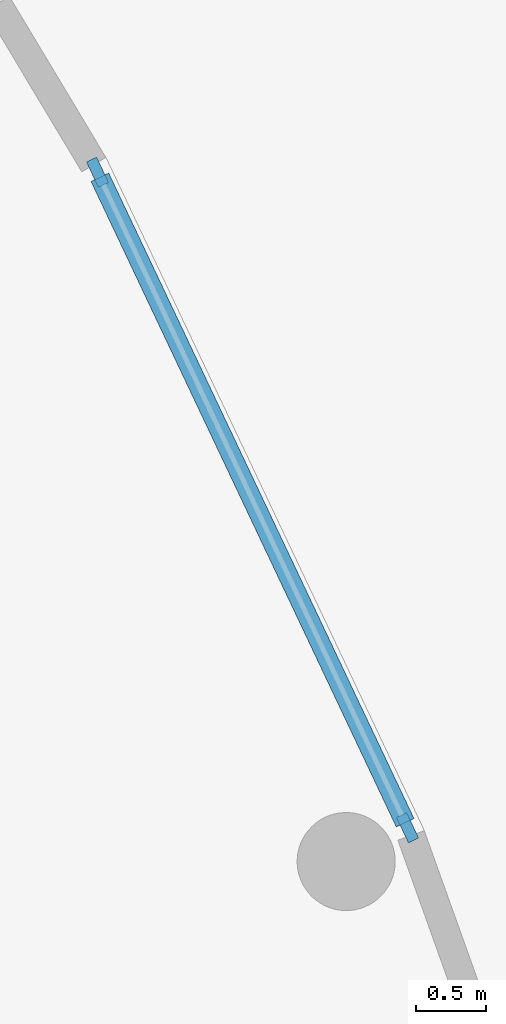
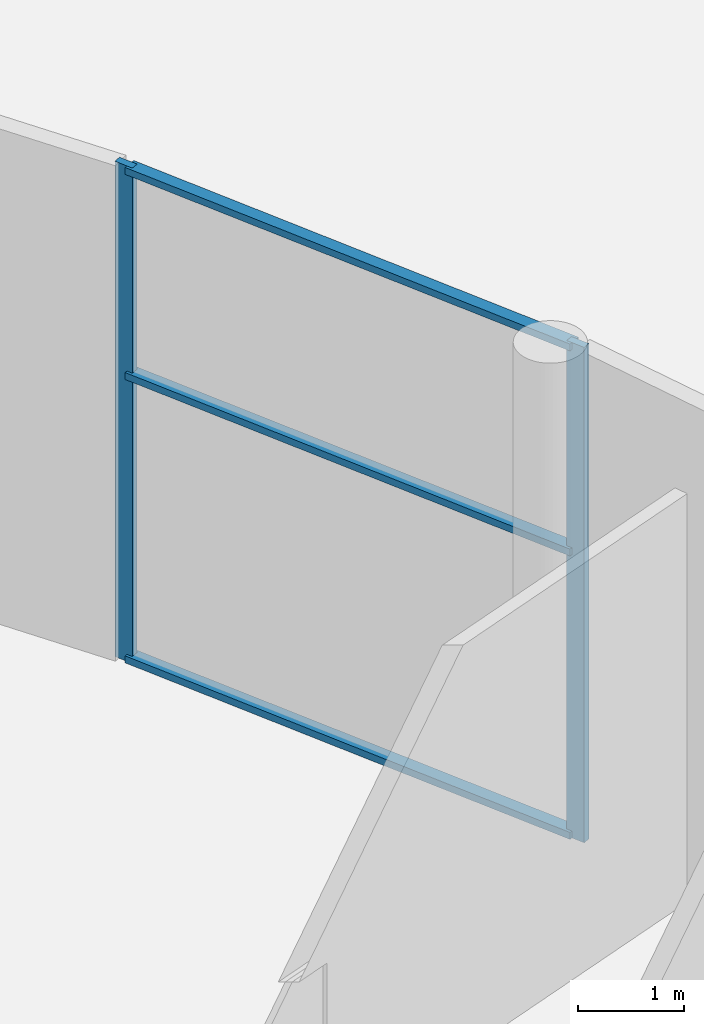
# One storey, part 10 of 33: 5 members, 1 element without a shape of its own.
"""IFC4 building model written with IfcOpenShell, lengths in metres."""

import ifcopenshell
import ifcopenshell.guid

model = None  # the IFC model being written
_history = None  # IfcOwnerHistory: only IFC2X3 demands one
_inside = {}  # id of a spatial element -> (the spatial element, [elements in it])
_under = {}  # id of a project, library or spatial element -> (it, [spatial elements below it])
_declared = {}  # id of a project -> (the project, [libraries it declares])
_typed = {}  # id of a type object -> (the type object, [elements of that type])
_made_of = {}  # id of a material, layer set ... -> (it, [elements and type objects made of it])


def new_model(schema):
    """Start an empty IFC model of exactly this schema.

    Asked for "IFC4X3", IfcOpenShell would pick the latest addendum, in which some entities
    have other attributes; the version numbers below select the first issue.
    IFC2X3 requires an IfcOwnerHistory on every rooted entity: one is made here for all.
    """
    global model, _history
    if schema == "IFC4X3":
        model = ifcopenshell.file(schema_version=(4, 3, 0, 0))
    else:
        model = ifcopenshell.file(schema=schema)
    _inside.clear()
    _under.clear()
    _declared.clear()
    _typed.clear()
    _made_of.clear()
    _history = None
    if model.schema == "IFC2X3":
        org = make("IfcOrganization", Name="unknown")
        user = make(
            "IfcPersonAndOrganization",
            ThePerson=make("IfcPerson", FamilyName="unknown"),
            TheOrganization=org,
        )
        app = make(
            "IfcApplication",
            ApplicationDeveloper=org,
            Version="unknown",
            ApplicationFullName="unknown",
            ApplicationIdentifier="unknown",
        )
        _history = make(
            "IfcOwnerHistory",
            OwningUser=user,
            OwningApplication=app,
            ChangeAction="ADDED",
            CreationDate=0,
        )
    return model


def make(cls, **values):
    """One entity of the class cls with the attributes given. An attribute that is None is left unset."""
    return model.create_entity(
        cls, **{name: value for name, value in values.items() if value is not None}
    )


def rooted(cls, **values):
    """An entity with a GlobalId (a new one), such as an element, a storey or a relation."""
    return make(cls, GlobalId=ifcopenshell.guid.new(), OwnerHistory=_history, **values)


def si_unit(unit_type, name, prefix=None):
    """IfcSIUnit, for example si_unit("LENGTHUNIT", "METRE", prefix="MILLI")."""
    return make("IfcSIUnit", UnitType=unit_type, Prefix=prefix, Name=name)


def assignment(units):
    """IfcUnitAssignment: the units of a project."""
    return None if units is None else make("IfcUnitAssignment", Units=units)


def point(xyz):
    """IfcCartesianPoint."""
    return None if xyz is None else make("IfcCartesianPoint", Coordinates=xyz)


def direction(xyz):
    """IfcDirection."""
    return None if xyz is None else make("IfcDirection", DirectionRatios=xyz)


def frame(location, z_axis=None, x_axis=None):
    """IfcAxis2Placement3D, a coordinate frame: its origin and axes. An axis left out is left unset."""
    return make(
        "IfcAxis2Placement3D",
        Location=point(location),
        Axis=direction(z_axis),
        RefDirection=direction(x_axis),
    )


def frame_2d(location, x_axis=None):
    """IfcAxis2Placement2D, a coordinate frame in the plane: its origin and x axis."""
    return make(
        "IfcAxis2Placement2D", Location=point(location), RefDirection=direction(x_axis)
    )


def origin():
    """The frame at (0, 0, 0) with its axes left unset."""
    return frame((0.0, 0.0, 0.0))


def origin_2d():
    """The frame at (0, 0) in the plane with its x axis left unset."""
    return frame_2d((0.0, 0.0))


def place(relative_to, where):
    """IfcLocalPlacement: puts the frame where relative to a parent placement (None: the world)."""
    return make(
        "IfcLocalPlacement", PlacementRelTo=relative_to, RelativePlacement=where
    )


def context(
    kind, dimensions, precision=None, world=None, true_north=None, identifier=None
):
    """IfcGeometricRepresentationContext, for example the 3D "Model" context."""
    return make(
        "IfcGeometricRepresentationContext",
        ContextIdentifier=identifier,
        ContextType=kind,
        CoordinateSpaceDimension=dimensions,
        Precision=precision,
        WorldCoordinateSystem=world,
        TrueNorth=true_north,
    )


def subcontext(parent, identifier, kind, view, scale=None):
    """IfcGeometricRepresentationSubContext, for example "Body" below "Model"."""
    return make(
        "IfcGeometricRepresentationSubContext",
        ContextIdentifier=identifier,
        ContextType=kind,
        ParentContext=parent,
        TargetScale=scale,
        TargetView=view,
    )


def project(units=None, contexts=None):
    """IfcProject with its units and contexts."""
    return rooted(
        "IfcProject",
        Name="project",
        RepresentationContexts=contexts,
        UnitsInContext=assignment(units),
    )


def spatial(cls, under=None, at=None, **own):
    """A site, building, storey or space (cls), placed at a placement, below another one or the project."""
    s = rooted(cls, ObjectPlacement=at, **own)
    if under is not None:
        _under.setdefault(under.id(), (under, []))[1].append(s)
    return s


def profile(cls, at=None, kind="AREA", **sizes):
    """A parametric profile (cls). Its sizes go by their IFC names, for example OverallWidth=200.0."""
    return make(cls, ProfileType=kind, Position=at, **sizes)


def rectangle(**sizes):
    """IfcRectangleProfileDef."""
    return profile("IfcRectangleProfileDef", **sizes)


def extrude(swept, where, along, depth):
    """IfcExtrudedAreaSolid: the profile swept, set in the frame where, extruded along a direction by depth."""
    return make(
        "IfcExtrudedAreaSolid",
        SweptArea=swept,
        Position=where,
        ExtrudedDirection=direction(along),
        Depth=depth,
    )


def shape(context_of_items, identifier, shape_type, items):
    """IfcShapeRepresentation: the items that make up one representation, for example the "Body"."""
    return make(
        "IfcShapeRepresentation",
        ContextOfItems=context_of_items,
        RepresentationIdentifier=identifier,
        RepresentationType=shape_type,
        Items=items,
    )


def material(Name=None, Category=None):
    """IfcMaterial."""
    return make("IfcMaterial", Name=Name, Category=Category)


def material_profile(
    of_material, cross_section, Name=None, Category=None, Priority=None
):
    """IfcMaterialProfile: a cross section and its material."""
    return make(
        "IfcMaterialProfile",
        Name=Name,
        Material=of_material,
        Profile=cross_section,
        Priority=Priority,
        Category=Category,
    )


def profile_set(profiles, Name=None, composite=None):
    """IfcMaterialProfileSet."""
    return make(
        "IfcMaterialProfileSet",
        Name=Name,
        MaterialProfiles=profiles,
        CompositeProfile=composite,
    )


def made_of(thing, what):
    """Note that an element or type object is made of a material, layer set ...; save() writes the relation."""
    if what is not None:
        _made_of.setdefault(what.id(), (what, []))[1].append(thing)
    return thing


def type_object(cls, material=None, **own):
    """A type object (cls), such as IfcWallType, which elements share."""
    return made_of(rooted(cls, **own), material)


def element(
    cls,
    number,
    at=None,
    inside=None,
    cuts=None,
    type_object=None,
    material=None,
    context=None,
    identifier="Body",
    shape_type=None,
    held_by="IfcProductDefinitionShape",
    body=None,
    shapes=None,
    **own,
):
    """One element of the class cls, such as IfcWall. Its Tag is "e" and its number.

    at: its placement. inside: the storey or other place that contains it. cuts: it is an
    opening in that element (IfcRelVoidsElement). A single representation is given by context,
    identifier, shape_type and body (its items); several are given by shapes. held_by: the class
    of the entity that holds the representations. save() writes the other relations.
    """
    e = rooted(cls, Tag="e%d" % number, ObjectPlacement=at, **own)
    if body is not None:
        shapes = [shape(context, identifier, shape_type, body)]
    if shapes is not None:
        e.Representation = make(held_by, Representations=shapes)
    if inside is not None:
        _inside.setdefault(inside.id(), (inside, []))[1].append(e)
    if cuts is not None:
        rooted(
            "IfcRelVoidsElement", RelatingBuildingElement=cuts, RelatedOpeningElement=e
        )
    if type_object is not None:
        _typed.setdefault(type_object.id(), (type_object, []))[1].append(e)
    return made_of(e, material)


def aggregate(whole, parts):
    """IfcRelAggregates: a whole, such as a stair, and the parts it consists of."""
    return rooted("IfcRelAggregates", RelatingObject=whole, RelatedObjects=parts)


def save(model, path):
    """Write the relations noted so far, then the file.

    IfcRelAggregates (storeys below a building ...), IfcRelContainedInSpatialStructure (elements
    in a storey), IfcRelDefinesByType, IfcRelAssociatesMaterial and IfcRelDeclares: one each for
    every whole, place, type object, material and project.
    """
    for whole, parts in _under.values():
        aggregate(whole, parts)
    for where, things in _inside.values():
        rooted(
            "IfcRelContainedInSpatialStructure",
            RelatedElements=things,
            RelatingStructure=where,
        )
    for kind, things in _typed.values():
        rooted("IfcRelDefinesByType", RelatedObjects=things, RelatingType=kind)
    for what, things in _made_of.values():
        rooted("IfcRelAssociatesMaterial", RelatedObjects=things, RelatingMaterial=what)
    for by, libraries in _declared.values():
        rooted("IfcRelDeclares", RelatingContext=by, RelatedDefinitions=libraries)
    model.write(path)


model = new_model("IFC4")

# Units and contexts
model_context = context("Model", 3, precision=1e-05, world=origin(), true_north=direction((0.0, 1.0)))
body_context = subcontext(model_context, "Body", "Model", "MODEL_VIEW")
ifc_project = project(units=[si_unit("LENGTHUNIT", "METRE"), si_unit("AREAUNIT", "SQUARE_METRE"), si_unit("VOLUMEUNIT", "CUBIC_METRE"), si_unit("PLANEANGLEUNIT", "RADIAN"), si_unit("MASSUNIT", "GRAM", prefix="KILO")], contexts=[model_context])

# Site, building, storey
site_placement = place(None, origin())
site = spatial("IfcSite", under=ifc_project, at=site_placement, CompositionType="ELEMENT")
building_placement = place(site_placement, origin())
building = spatial("IfcBuilding", under=site, at=building_placement, Name="Corvane Civic Tower", CompositionType="ELEMENT")
storey_placement = place(building_placement, origin())
storey = spatial("IfcBuildingStorey", under=building, at=storey_placement, Name="G", CompositionType="ELEMENT", Elevation=0.0)

# Curtain wall, members
ifc_material_1 = material(Name="Aluminium and glass", Category="aluminium")
curtain_wall_type = type_object("IfcCurtainWallType", Name="PODIUM-CW-L-RUN", PredefinedType="NOTDEFINED", material=ifc_material_1)
curtain_wall_placement = place(storey_placement, origin())
curtain_wall = element("IfcCurtainWall", 1, at=curtain_wall_placement, inside=storey, type_object=curtain_wall_type, Name="PODI run G-plinth-06B", PredefinedType="NOTDEFINED")
ifc_material_2 = material(Name="Anodised aluminium bronze", Category="aluminium")
ifc_material_profile_1 = material_profile(ifc_material_2, rectangle(XDim=0.080078125, YDim=0.199951171875, at=origin_2d()), Name="AL 80x200")
ifc_profile_set_1 = profile_set([ifc_material_profile_1], Name="Anodised aluminium bronze")
member_type_1 = type_object("IfcMemberType", Name="PODIUM-CWL-MULLION-80x200", PredefinedType="MULLION", material=ifc_profile_set_1)
member_1_placement = place(storey_placement, frame((47.55908203125, 25.3583984375, 0.0), z_axis=(0.0, 0.0, 1.0), x_axis=(0.90399397659, 0.427545190932, 0.0)))
member_1 = element("IfcMember", 2, at=member_1_placement, type_object=member_type_1, Name="CW-L mullion 1", PredefinedType="MULLION", context=body_context, shape_type="SweptSolid", body=[
    extrude(rectangle(XDim=0.080078125, YDim=0.199951171875, at=origin_2d()), origin(), (0.0, 0.0, 1.0), 5.699951171875),
])
member_2_placement = place(storey_placement, frame((49.7734375, 20.67626953125, 0.0), z_axis=(0.0, 0.0, 1.0), x_axis=(0.90399397659, 0.427545190932, 0.0)))
member_2 = element("IfcMember", 3, at=member_2_placement, type_object=member_type_1, Name="CW-L mullion 2", PredefinedType="MULLION", context=body_context, shape_type="SweptSolid", body=[
    extrude(rectangle(XDim=0.080078125, YDim=0.199951171875, at=origin_2d()), origin(), (0.0, 0.0, 1.0), 5.699951171875),
])
ifc_material_3 = material(Name="Anodised aluminium bronze", Category="aluminium")
ifc_material_profile_2 = material_profile(ifc_material_3, rectangle(XDim=0.139892578125, YDim=0.080078125, at=origin_2d()), Name="AL 140x80")
ifc_profile_set_2 = profile_set([ifc_material_profile_2], Name="Anodised aluminium bronze")
member_type_2 = type_object("IfcMemberType", Name="PODIUM-CWL-TRANSOM-80x140", PredefinedType="USERDEFINED", material=ifc_profile_set_2)
member_3_placement = place(storey_placement, frame((47.576171875, 25.322265625, 0.0400390625), z_axis=(0.427534713541, -0.903998931812, 0.0), x_axis=(0.903998931812, 0.427534713541, 0.0)))
member_3 = element("IfcMember", 4, at=member_3_placement, type_object=member_type_2, Name="CW-L transom 1.1", ObjectType="TRANSOM", PredefinedType="USERDEFINED", context=body_context, shape_type="SweptSolid", body=[
    extrude(rectangle(XDim=0.139892578125, YDim=0.080078125, at=origin_2d()), origin(), (0.0, 0.0, 1.0), 5.099365234375),
])
member_4_placement = place(storey_placement, frame((47.576171875, 25.322265625, 3.300048828125), z_axis=(0.427534713541, -0.903998931812, 0.0), x_axis=(0.903998931812, 0.427534713541, 0.0)))
member_4 = element("IfcMember", 5, at=member_4_placement, type_object=member_type_2, Name="CW-L transom 1.2", ObjectType="TRANSOM", PredefinedType="USERDEFINED", context=body_context, shape_type="SweptSolid", body=[
    extrude(rectangle(XDim=0.139892578125, YDim=0.080078125, at=origin_2d()), origin(), (0.0, 0.0, 1.0), 5.099365234375),
])
member_5_placement = place(storey_placement, frame((47.576171875, 25.322265625, 5.659912109375), z_axis=(0.427534713541, -0.903998931812, 0.0), x_axis=(0.903998931812, 0.427534713541, 0.0)))
member_5 = element("IfcMember", 6, at=member_5_placement, type_object=member_type_2, Name="CW-L transom 1.3", ObjectType="TRANSOM", PredefinedType="USERDEFINED", context=body_context, shape_type="SweptSolid", body=[
    extrude(rectangle(XDim=0.139892578125, YDim=0.080078125, at=origin_2d()), origin(), (0.0, 0.0, 1.0), 5.099365234375),
])
aggregate(curtain_wall, [member_1, member_2, member_3, member_4, member_5])

save(model, "model.ifc")
